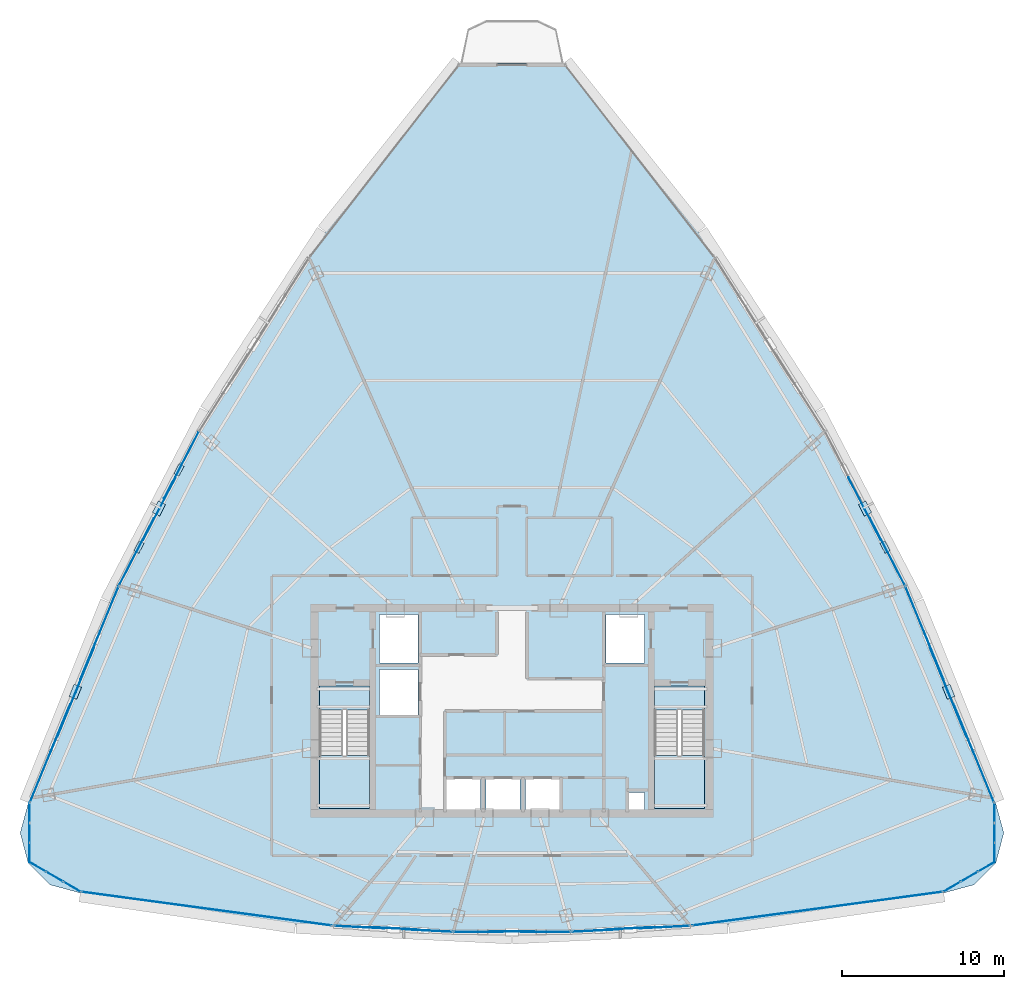
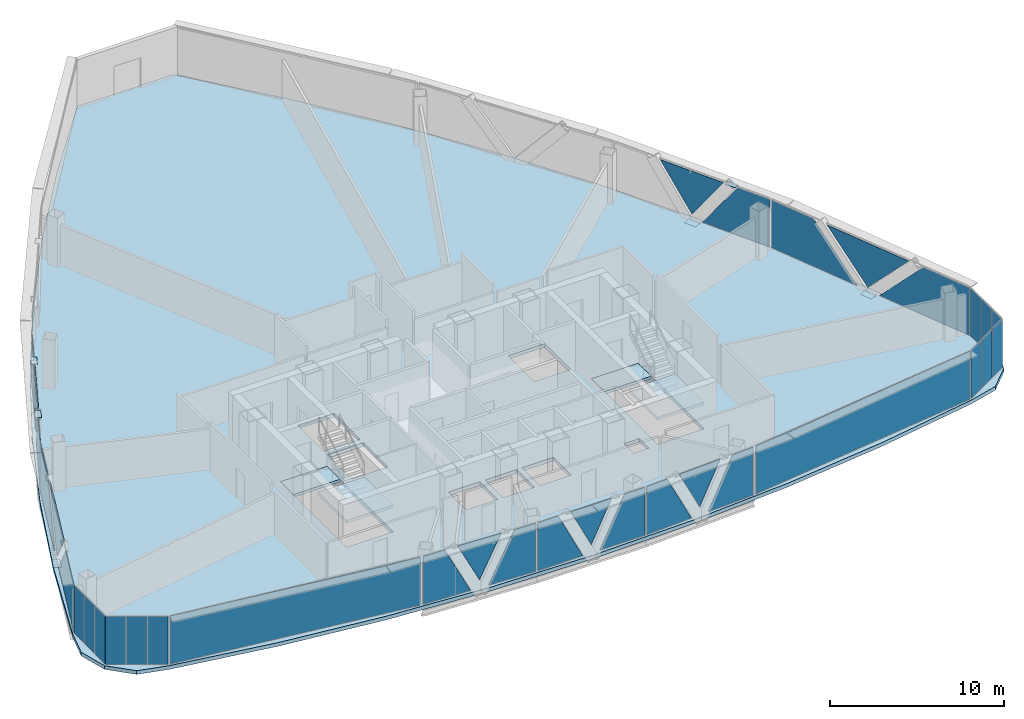
# One storey, part 27 of 33: 41 plates, 5 slabs, 15 elements without a shape of their own.
"""IFC4 building model written with IfcOpenShell, lengths in metres."""

from ifc_helpers import new_model, si_unit, direction, frame, origin, origin_2d, place, context, subcontext, project, spatial, polyline, rectangle, outline, extrude, source, transform, mapped, material, layer, layer_set, type_object, element, aggregate, save


model = new_model("IFC4")

# Units and contexts
model_context = context("Model", 3, precision=1e-05, world=origin(), true_north=direction((0.0, 1.0)))
body_context = subcontext(model_context, "Body", "Model", "MODEL_VIEW")
ifc_project = project(units=[si_unit("LENGTHUNIT", "METRE"), si_unit("AREAUNIT", "SQUARE_METRE"), si_unit("VOLUMEUNIT", "CUBIC_METRE"), si_unit("PLANEANGLEUNIT", "RADIAN"), si_unit("MASSUNIT", "GRAM", prefix="KILO"), si_unit("THERMODYNAMICTEMPERATUREUNIT", "KELVIN"), si_unit("POWERUNIT", "WATT")], contexts=[model_context])

# Site, building, storey
site_placement = place(None, origin())
site = spatial("IfcSite", under=ifc_project, at=site_placement, CompositionType="ELEMENT")
building_placement = place(site_placement, origin())
building = spatial("IfcBuilding", under=site, at=building_placement, Name="Yunzhuo Pagoda Commons", CompositionType="ELEMENT")
storey_placement = place(building_placement, frame((0.0, 0.0, 311.1298828125)))
storey = spatial("IfcBuildingStorey", under=building, at=storey_placement, Name="L78", CompositionType="ELEMENT", Elevation=311.1298828125)

# Curtain wall, plates
ifc_material_1 = material(Name="Anodized aluminium 6063-T6", Category="aluminium")
ifc_layer_1 = layer(ifc_material_1, 0.139892578125)
ifc_layer_set_1 = layer_set([ifc_layer_1], Name="Anodized aluminium 6063-T6")
curtain_wall_type_1 = type_object("IfcCurtainWallType", Name="CW-HI High-Zone Ribbon Curtain Wall", PredefinedType="NOTDEFINED", material=ifc_layer_set_1)
curtain_wall_1_placement = place(storey_placement, origin())
curtain_wall_1 = element("IfcCurtainWall", 1, at=curtain_wall_1_placement, inside=storey, type_object=curtain_wall_type_1, Name="L78 curtain wall CW-L78-F1B2", PredefinedType="NOTDEFINED")
ifc_material_2 = material(Name="Tempered low-e double glazing", Category="glass")
ifc_layer_2 = layer(ifc_material_2, 0.02587890625)
ifc_layer_set_2 = layer_set([ifc_layer_2], Name="Tempered low-e double glazing")
plate_type_1 = type_object("IfcPlateType", Name="CW-HI-P Low-E Double Glazing 26", PredefinedType="CURTAIN_PANEL", material=ifc_layer_set_2)
plate_1_placement = place(storey_placement, frame((38.56396484375, 20.490234375, 1.735107421875), z_axis=(-0.050692256518, -0.998714321079, 0.0), x_axis=(0.998714321079, -0.050692256518, 0.0)))
plate_1 = element("IfcPlate", 2, at=plate_1_placement, type_object=plate_type_1, Name="CW panel 1.1 lite 1", PredefinedType="CURTAIN_PANEL", context=body_context, shape_type="SweptSolid", body=[
    extrude(outline(polyline([(-1.533447265625, -1.679931640625), (1.533447265625, -1.679931640625), (-0.13671875, 1.679931640625), (-1.533447265625, 1.679931640625), (-1.533447265625, -1.679931640625)])), origin(), (0.0, 0.0, 1.0), 0.028076171875),
])
plate_2_placement = place(storey_placement, frame((40.677001953125, 20.4130859375, 2.004638671875), z_axis=(-0.050692256518, -0.998714321079, 0.0), x_axis=(0.998714321079, -0.050692256518, 0.0)))
plate_2 = element("IfcPlate", 3, at=plate_2_placement, type_object=plate_type_1, Name="CW panel 1.1 lite 2", PredefinedType="CURTAIN_PANEL", context=body_context, shape_type="SweptSolid", body=[
    extrude(outline(polyline([(-1.402099609375, 1.41064453125), (0.0, -1.41064453125), (1.402099609375, 1.41064453125), (-1.402099609375, 1.41064453125)])), origin(), (0.0, 0.0, 1.0), 0.028076171875),
])
plate_3_placement = place(storey_placement, frame((42.787109375, 20.276123046875, 1.735107421875), z_axis=(-0.050692256518, -0.998714321079, 0.0), x_axis=(0.998714321079, -0.050692256518, 0.0)))
plate_3 = element("IfcPlate", 4, at=plate_3_placement, type_object=plate_type_1, Name="CW panel 1.1 lite 3", PredefinedType="CURTAIN_PANEL", context=body_context, shape_type="SweptSolid", body=[
    extrude(outline(polyline([(-1.533447265625, -1.679931640625), (1.533447265625, -1.679931640625), (1.533447265625, 1.679931640625), (0.136474609375, 1.679931640625), (-1.533447265625, -1.679931640625)])), origin(), (0.0, 0.0, 1.0), 0.028076171875),
])
aggregate(curtain_wall_1, [plate_1, plate_2, plate_3])

curtain_wall_2_placement = place(storey_placement, origin())
curtain_wall_2 = element("IfcCurtainWall", 5, at=curtain_wall_2_placement, inside=storey, type_object=curtain_wall_type_1, Name="L78 curtain wall CW-L78-F1B3", PredefinedType="NOTDEFINED")
plate_4_placement = place(storey_placement, frame((45.93115234375, 20.1953125, 1.735107421875), z_axis=(0.0, -1.0, 0.0), x_axis=(1.0, 0.0, 0.0)))
plate_4 = element("IfcPlate", 6, at=plate_4_placement, type_object=plate_type_1, Name="CW panel 1.1 lite 1", PredefinedType="CURTAIN_PANEL", context=body_context, shape_type="SweptSolid", body=[
    extrude(outline(polyline([(-1.493408203125, -1.679931640625), (1.493408203125, -1.679931640625), (-0.137939453125, 1.679931640625), (-1.493408203125, 1.679931640625), (-1.493408203125, -1.679931640625)])), origin(), (0.0, 0.0, 1.0), 0.028076171875),
])
plate_5_placement = place(storey_placement, frame((48.0, 20.22509765625, 2.0126953125), z_axis=(0.0, -1.0, 0.0), x_axis=(1.0, 0.0, 0.0)))
plate_5 = element("IfcPlate", 7, at=plate_5_placement, type_object=plate_type_1, Name="CW panel 1.1 lite 2", PredefinedType="CURTAIN_PANEL", context=body_context, shape_type="SweptSolid", body=[
    extrude(outline(polyline([(-1.362060546875, 1.402587890625), (0.0, -1.402587890625), (1.362060546875, 1.402587890625), (-1.362060546875, 1.402587890625)])), origin(), (0.0, 0.0, 1.0), 0.028076171875),
])
plate_6_placement = place(storey_placement, frame((50.06884765625, 20.1953125, 1.735107421875), z_axis=(0.0, -1.0, 0.0), x_axis=(1.0, 0.0, 0.0)))
plate_6 = element("IfcPlate", 8, at=plate_6_placement, type_object=plate_type_1, Name="CW panel 1.1 lite 3", PredefinedType="CURTAIN_PANEL", context=body_context, shape_type="SweptSolid", body=[
    extrude(outline(polyline([(-1.493408203125, -1.679931640625), (1.493408203125, -1.679931640625), (1.493408203125, 1.679931640625), (0.137939453125, 1.679931640625), (-1.493408203125, -1.679931640625)])), origin(), (0.0, 0.0, 1.0), 0.028076171875),
])
aggregate(curtain_wall_2, [plate_4, plate_5, plate_6])

curtain_wall_3_placement = place(storey_placement, origin())
curtain_wall_3 = element("IfcCurtainWall", 9, at=curtain_wall_3_placement, inside=storey, type_object=curtain_wall_type_1, Name="L78 curtain wall CW-L78-F1B4", PredefinedType="NOTDEFINED")
plate_7_placement = place(storey_placement, frame((53.212890625, 20.276123046875, 1.735107421875), z_axis=(0.050692256518, -0.998714321079, 0.0), x_axis=(0.998714321079, 0.050692256518, 0.0)))
plate_7 = element("IfcPlate", 10, at=plate_7_placement, type_object=plate_type_1, Name="CW panel 1.1 lite 1", PredefinedType="CURTAIN_PANEL", context=body_context, shape_type="SweptSolid", body=[
    extrude(outline(polyline([(-1.533447265625, -1.679931640625), (1.533447265625, -1.679931640625), (-0.136474609375, 1.679931640625), (-1.533447265625, 1.679931640625), (-1.533447265625, -1.679931640625)])), origin(), (0.0, 0.0, 1.0), 0.028076171875),
])
plate_8_placement = place(storey_placement, frame((55.322998046875, 20.4130859375, 2.004638671875), z_axis=(0.050692256518, -0.998714321079, 0.0), x_axis=(0.998714321079, 0.050692256518, 0.0)))
plate_8 = element("IfcPlate", 11, at=plate_8_placement, type_object=plate_type_1, Name="CW panel 1.1 lite 2", PredefinedType="CURTAIN_PANEL", context=body_context, shape_type="SweptSolid", body=[
    extrude(outline(polyline([(-1.402099609375, 1.41064453125), (0.0, -1.41064453125), (1.402099609375, 1.41064453125), (-1.402099609375, 1.41064453125)])), origin(), (0.0, 0.0, 1.0), 0.028076171875),
])
plate_9_placement = place(storey_placement, frame((57.43603515625, 20.490234375, 1.735107421875), z_axis=(0.050692256518, -0.998714321079, 0.0), x_axis=(0.998714321079, 0.050692256518, 0.0)))
plate_9 = element("IfcPlate", 12, at=plate_9_placement, type_object=plate_type_1, Name="CW panel 1.1 lite 3", PredefinedType="CURTAIN_PANEL", context=body_context, shape_type="SweptSolid", body=[
    extrude(outline(polyline([(-1.533447265625, -1.679931640625), (1.533447265625, -1.679931640625), (1.533447265625, 1.679931640625), (0.13671875, 1.679931640625), (-1.533447265625, -1.679931640625)])), origin(), (0.0, 0.0, 1.0), 0.028076171875),
])
aggregate(curtain_wall_3, [plate_7, plate_8, plate_9])

curtain_wall_4_placement = place(storey_placement, origin())
curtain_wall_4 = element("IfcCurtainWall", 13, at=curtain_wall_4_placement, inside=storey, type_object=curtain_wall_type_1, Name="L78 curtain wall CW-L78-F2B2", PredefinedType="NOTDEFINED")
plate_10_placement = place(storey_placement, frame((76.543701171875, 31.232421875, 1.735107421875), z_axis=(0.924975207531, 0.380027453552, 0.0), x_axis=(-0.380027453552, 0.924975207531, 0.0)))
plate_10 = element("IfcPlate", 14, at=plate_10_placement, type_object=plate_type_1, Name="CW panel 1.1 lite 1", PredefinedType="CURTAIN_PANEL", context=body_context, shape_type="SweptSolid", body=[
    extrude(outline(polyline([(-3.275390625, -1.679931640625), (3.275390625, -1.679931640625), (0.078125, 1.679931640625), (-3.275390625, 1.679931640625), (-3.275390625, -1.679931640625)])), origin(), (0.0, 0.0, 1.0), 0.028076171875),
])
plate_11_placement = place(storey_placement, frame((74.9580078125, 35.01318359375, 1.853271484375), z_axis=(0.924975207531, 0.380027453552, 0.0), x_axis=(-0.380027453552, 0.924975207531, 0.0)))
plate_11 = element("IfcPlate", 15, at=plate_11_placement, type_object=plate_type_1, Name="CW panel 1.1 lite 2", PredefinedType="CURTAIN_PANEL", context=body_context, shape_type="SweptSolid", body=[
    extrude(outline(polyline([(-2.972412109375, 1.561767578125), (0.0, -1.56201171875), (2.972412109375, 1.561767578125), (-2.972412109375, 1.561767578125)])), origin(), (0.0, 0.0, 1.0), 0.028076171875),
])
plate_12_placement = place(storey_placement, frame((73.49169921875, 38.6611328125, 1.735107421875), z_axis=(0.924975207531, 0.380027453552, 0.0), x_axis=(-0.380027453552, 0.924975207531, 0.0)))
plate_12 = element("IfcPlate", 16, at=plate_12_placement, type_object=plate_type_1, Name="CW panel 1.1 lite 3", PredefinedType="CURTAIN_PANEL", context=body_context, shape_type="SweptSolid", body=[
    extrude(outline(polyline([(-3.107177734375, -1.679931640625), (3.107177734375, -1.679931640625), (3.107177734375, 1.679931640625), (0.090087890625, 1.679931640625), (-3.107177734375, -1.679931640625)])), origin(), (0.0, 0.0, 1.0), 0.028076171875),
])
aggregate(curtain_wall_4, [plate_10, plate_11, plate_12])

curtain_wall_5_placement = place(storey_placement, origin())
curtain_wall_5 = element("IfcCurtainWall", 17, at=curtain_wall_5_placement, inside=storey, type_object=curtain_wall_type_1, Name="L78 curtain wall CW-L78-F2B3", PredefinedType="NOTDEFINED")
plate_13_placement = place(storey_placement, frame((71.197998046875, 43.6904296875, 1.735107421875), z_axis=(0.887531158433, 0.460747699735, 0.0), x_axis=(-0.460747699735, 0.887531158433, 0.0)))
plate_13 = element("IfcPlate", 18, at=plate_13_placement, type_object=plate_type_1, Name="CW panel 1.1 lite 1", PredefinedType="CURTAIN_PANEL", context=body_context, shape_type="SweptSolid", body=[
    extrude(outline(polyline([(-2.30712890625, -1.679931640625), (2.30712890625, -1.679931640625), (-0.111083984375, 1.679931640625), (-2.30712890625, 1.679931640625), (-2.30712890625, -1.679931640625)])), origin(), (0.0, 0.0, 1.0), 0.028076171875),
])
plate_14_placement = place(storey_placement, frame((69.788330078125, 46.3408203125, 1.90283203125), z_axis=(0.887531158433, 0.460747699735, 0.0), x_axis=(-0.460747699735, 0.887531158433, 0.0)))
plate_14 = element("IfcPlate", 19, at=plate_14_placement, type_object=plate_type_1, Name="CW panel 1.1 lite 2", PredefinedType="CURTAIN_PANEL", context=body_context, shape_type="SweptSolid", body=[
    extrude(outline(polyline([(-2.1767578125, 1.51220703125), (0.0, -1.51220703125), (2.1767578125, 1.51220703125), (-2.1767578125, 1.51220703125)])), origin(), (0.0, 0.0, 1.0), 0.028076171875),
])
aggregate(curtain_wall_5, [plate_13, plate_14])

curtain_wall_6_placement = place(storey_placement, origin())
curtain_wall_6 = element("IfcCurtainWall", 20, at=curtain_wall_6_placement, inside=storey, type_object=curtain_wall_type_1, Name="L78 curtain wall CW-L78-F3B3", PredefinedType="NOTDEFINED")
plate_15_placement = place(storey_placement, frame((27.568359375, 49.018798828125, 1.735107421875), z_axis=(-0.887531158433, 0.460747699735, 0.0), x_axis=(-0.460747699735, -0.887531158433, 0.0)))
plate_15 = element("IfcPlate", 21, at=plate_15_placement, type_object=plate_type_1, Name="CW panel 1.1 lite 1", PredefinedType="CURTAIN_PANEL", context=body_context, shape_type="SweptSolid", body=[
    extrude(outline(polyline([(-2.306884765625, -1.679931640625), (2.306884765625, -1.679931640625), (-0.111083984375, 1.679931640625), (-2.306884765625, 1.679931640625), (-2.306884765625, -1.679931640625)])), origin(), (0.0, 0.0, 1.0), 0.028076171875),
])
plate_16_placement = place(storey_placement, frame((26.211669921875, 46.3408203125, 1.90283203125), z_axis=(-0.887531158433, 0.460747699735, 0.0), x_axis=(-0.460747699735, -0.887531158433, 0.0)))
plate_16 = element("IfcPlate", 22, at=plate_16_placement, type_object=plate_type_1, Name="CW panel 1.1 lite 2", PredefinedType="CURTAIN_PANEL", context=body_context, shape_type="SweptSolid", body=[
    extrude(outline(polyline([(-2.1767578125, 1.51220703125), (0.0, -1.51220703125), (2.1767578125, 1.51220703125), (-2.1767578125, 1.51220703125)])), origin(), (0.0, 0.0, 1.0), 0.028076171875),
])
plate_17_placement = place(storey_placement, frame((24.802001953125, 43.6904296875, 1.735107421875), z_axis=(-0.887531158433, 0.460747699735, 0.0), x_axis=(-0.460747699735, -0.887531158433, 0.0)))
plate_17 = element("IfcPlate", 23, at=plate_17_placement, type_object=plate_type_1, Name="CW panel 1.1 lite 3", PredefinedType="CURTAIN_PANEL", context=body_context, shape_type="SweptSolid", body=[
    extrude(outline(polyline([(-2.30712890625, -1.679931640625), (2.30712890625, -1.679931640625), (2.30712890625, 1.679931640625), (0.111083984375, 1.679931640625), (-2.30712890625, -1.679931640625)])), origin(), (0.0, 0.0, 1.0), 0.028076171875),
])
aggregate(curtain_wall_6, [plate_15, plate_16, plate_17])

curtain_wall_7_placement = place(storey_placement, origin())
curtain_wall_7 = element("IfcCurtainWall", 24, at=curtain_wall_7_placement, inside=storey, type_object=curtain_wall_type_1, Name="L78 curtain wall CW-L78-F3B4", PredefinedType="NOTDEFINED")
plate_18_placement = place(storey_placement, frame((22.50830078125, 38.6611328125, 1.735107421875), z_axis=(-0.924975207531, 0.380027453552, 0.0), x_axis=(-0.380027453552, -0.924975207531, 0.0)))
plate_18 = element("IfcPlate", 25, at=plate_18_placement, type_object=plate_type_1, Name="CW panel 1.1 lite 1", PredefinedType="CURTAIN_PANEL", context=body_context, shape_type="SweptSolid", body=[
    extrude(outline(polyline([(-3.107177734375, -1.679931640625), (3.107177734375, -1.679931640625), (-0.090087890625, 1.679931640625), (-3.107177734375, 1.679931640625), (-3.107177734375, -1.679931640625)])), origin(), (0.0, 0.0, 1.0), 0.028076171875),
])
plate_19_placement = place(storey_placement, frame((21.0419921875, 35.01318359375, 1.853271484375), z_axis=(-0.924975207531, 0.380027453552, 0.0), x_axis=(-0.380027453552, -0.924975207531, 0.0)))
plate_19 = element("IfcPlate", 26, at=plate_19_placement, type_object=plate_type_1, Name="CW panel 1.1 lite 2", PredefinedType="CURTAIN_PANEL", context=body_context, shape_type="SweptSolid", body=[
    extrude(outline(polyline([(-2.972412109375, 1.561767578125), (0.0, -1.56201171875), (2.972412109375, 1.561767578125), (-2.972412109375, 1.561767578125)])), origin(), (0.0, 0.0, 1.0), 0.028076171875),
])
plate_20_placement = place(storey_placement, frame((19.456298828125, 31.232421875, 1.735107421875), z_axis=(-0.924975207531, 0.380027453552, 0.0), x_axis=(-0.380027453552, -0.924975207531, 0.0)))
plate_20 = element("IfcPlate", 27, at=plate_20_placement, type_object=plate_type_1, Name="CW panel 1.1 lite 3", PredefinedType="CURTAIN_PANEL", context=body_context, shape_type="SweptSolid", body=[
    extrude(outline(polyline([(-3.275390625, -1.679931640625), (3.275390625, -1.679931640625), (3.275390625, 1.679931640625), (-0.078125, 1.679931640625), (-3.275390625, -1.679931640625)])), origin(), (0.0, 0.0, 1.0), 0.028076171875),
])
aggregate(curtain_wall_7, [plate_18, plate_19, plate_20])

# Stair, slabs
ifc_material_3 = material(Name="Concrete C40", Category="concrete")
stair_type_1 = type_object("IfcStairType", Name="ST-C1 Core Smokeproof Stair ST1", PredefinedType="HALF_TURN_STAIR", material=ifc_material_3)
stair_1_placement = place(storey_placement, origin())
stair_1 = element("IfcStair", 28, at=stair_1_placement, inside=storey, type_object=stair_type_1, Name="L78 Core smokeproof stair ST1", PredefinedType="HALF_TURN_STAIR")
ifc_layer_3 = layer(ifc_material_3, 0.199951171875)
ifc_layer_set_3 = layer_set([ifc_layer_3], Name="Concrete C40")
slab_type_1 = type_object("IfcSlabType", Name="SL-LND1 Stair Landing Slab 200", PredefinedType="LANDING", material=ifc_layer_set_3)
slab_1_placement = place(storey_placement, frame((0.0, 0.0, 1.6650390625)))
slab_1 = element("IfcSlab", 29, at=slab_1_placement, type_object=slab_type_1, Name="ST1 landing 1", PredefinedType="LANDING", context=body_context, shape_type="SweptSolid", body=[
    extrude(outline(polyline([(36.10009765625, 31.10009765625), (36.10009765625, 27.800048828125), (39.199951171875, 27.800048828125), (39.199951171875, 31.10009765625), (36.10009765625, 31.10009765625)])), origin(), (0.0, 0.0, 1.0), 0.2001953125),
])
slab_2_placement = place(storey_placement, frame((0.0, 0.0, -0.199951171875)))
slab_2 = element("IfcSlab", 30, at=slab_2_placement, type_object=slab_type_1, Name="ST1 floor landing L78", PredefinedType="LANDING", context=body_context, shape_type="SweptSolid", body=[
    extrude(outline(polyline([(36.10009765625, 35.39990234375), (36.10009765625, 33.89990234375), (39.199951171875, 33.89990234375), (39.199951171875, 35.39990234375), (36.10009765625, 35.39990234375)])), origin(), (0.0, 0.0, 1.0), 0.199951171875),
])
aggregate(stair_1, [slab_1, slab_2])

stair_type_2 = type_object("IfcStairType", Name="ST-C2 Core Smokeproof Stair ST2", PredefinedType="HALF_TURN_STAIR", material=ifc_material_3)
stair_2_placement = place(storey_placement, origin())
stair_2 = element("IfcStair", 31, at=stair_2_placement, inside=storey, type_object=stair_type_2, Name="L78 Core smokeproof stair ST2", PredefinedType="HALF_TURN_STAIR")
ifc_layer_4 = layer(ifc_material_3, 0.201904296875)
ifc_layer_set_4 = layer_set([ifc_layer_4], Name="Concrete C40")
slab_type_2 = type_object("IfcSlabType", Name="SL-LND2 Stair Landing Slab 202", PredefinedType="LANDING", material=ifc_layer_set_4)
slab_3_placement = place(storey_placement, frame((0.0, 0.0, 1.6650390625)))
slab_3 = element("IfcSlab", 32, at=slab_3_placement, type_object=slab_type_2, Name="ST2 landing 1", PredefinedType="LANDING", context=body_context, shape_type="SweptSolid", body=[
    extrude(outline(polyline([(56.800048828125, 31.10009765625), (56.800048828125, 27.800048828125), (59.89990234375, 27.800048828125), (59.89990234375, 31.10009765625), (56.800048828125, 31.10009765625)])), origin(), (0.0, 0.0, 1.0), 0.2001953125),
])
slab_4_placement = place(storey_placement, frame((0.0, 0.0, -0.199951171875)))
slab_4 = element("IfcSlab", 33, at=slab_4_placement, type_object=slab_type_2, Name="ST2 floor landing L78", PredefinedType="LANDING", context=body_context, shape_type="SweptSolid", body=[
    extrude(outline(polyline([(56.800048828125, 35.39990234375), (56.800048828125, 33.89990234375), (59.89990234375, 33.89990234375), (59.89990234375, 35.39990234375), (56.800048828125, 35.39990234375)])), origin(), (0.0, 0.0, 1.0), 0.199951171875),
])
aggregate(stair_2, [slab_3, slab_4])

# Slab
ifc_layer_5 = layer(ifc_material_3, 0.260009765625)
ifc_layer_set_5 = layer_set([ifc_layer_5], Name="Concrete C40")
slab_type_3 = type_object("IfcSlabType", Name="SL-TWR Typical Tower Floor Slab 260", PredefinedType="FLOOR", material=ifc_layer_set_5)
slab_5_placement = place(storey_placement, frame((0.0, 0.0, -0.259765625)))
element("IfcSlab", 34, at=slab_5_placement, inside=storey, type_object=slab_type_3, Name="L78 structural floor slab", PredefinedType="FLOOR", context=body_context, shape_type="SweptSolid", body=[
    extrude(outline(polyline([(20.45263671875, 34.44677734375), (23.090087890625, 40.57666015625), (26.00830078125, 46.542724609375), (29.207275390625, 52.34521484375), (32.686767578125, 57.9833984375), (36.447021484375, 63.4580078125), (40.48779296875, 68.768798828125), (44.809326171875, 73.916015625), (51.190673828125, 73.916015625), (55.51220703125, 68.768798828125), (59.552978515625, 63.4580078125), (63.313232421875, 57.9833984375), (66.792724609375, 52.34521484375), (69.99169921875, 46.542724609375), (72.909912109375, 40.57666015625), (75.54736328125, 34.44677734375), (77.904296875, 28.15283203125), (78.407958984375, 26.3037109375), (77.91748046875, 24.45068359375), (76.564697265625, 23.093017578125), (74.71337890625, 22.595703125), (68.03515625, 21.45849609375), (61.356689453125, 20.64599609375), (54.678466796875, 20.158447265625), (48.0, 19.99609375), (41.321533203125, 20.158447265625), (34.643310546875, 20.64599609375), (27.96484375, 21.45849609375), (21.28662109375, 22.595703125), (19.435302734375, 23.093017578125), (18.08251953125, 24.45068359375), (17.592041015625, 26.3037109375), (18.095703125, 28.15283203125), (20.45263671875, 34.44677734375)]), holes=[polyline([(56.179931640625, 28.800048828125), (55.179931640625, 28.800048828125), (55.179931640625, 27.699951171875), (56.179931640625, 27.699951171875), (56.179931640625, 28.800048828125)]), polyline([(46.050048828125, 29.64990234375), (43.949951171875, 29.64990234375), (43.949951171875, 27.60009765625), (46.050048828125, 27.60009765625), (46.050048828125, 29.64990234375)]), polyline([(48.5, 29.64990234375), (46.39990234375, 29.64990234375), (46.39990234375, 27.60009765625), (48.5, 27.60009765625), (48.5, 29.64990234375)]), polyline([(50.949951171875, 29.64990234375), (48.85009765625, 29.64990234375), (48.85009765625, 27.60009765625), (50.949951171875, 27.60009765625), (50.949951171875, 29.64990234375)]), polyline([(39.199951171875, 27.800048828125), (39.199951171875, 35.39990234375), (36.10009765625, 35.39990234375), (36.10009765625, 27.800048828125), (39.199951171875, 27.800048828125)]), polyline([(59.89990234375, 27.800048828125), (59.89990234375, 35.39990234375), (56.800048828125, 35.39990234375), (56.800048828125, 27.800048828125), (59.89990234375, 27.800048828125)]), polyline([(42.199951171875, 36.39990234375), (39.800048828125, 36.39990234375), (39.800048828125, 33.60009765625), (42.199951171875, 33.60009765625), (42.199951171875, 36.39990234375)]), polyline([(42.199951171875, 36.800048828125), (42.199951171875, 39.800048828125), (39.800048828125, 39.800048828125), (39.800048828125, 36.800048828125), (42.199951171875, 36.800048828125)]), polyline([(56.199951171875, 36.800048828125), (56.199951171875, 39.800048828125), (53.800048828125, 39.800048828125), (53.800048828125, 36.800048828125), (56.199951171875, 36.800048828125)])]), origin(), (0.0, 0.0, 1.0), 0.259765625),
])

# Plates
ifc_material_4 = material(Name="Structural steel Q355B", Category="steel")
ifc_layer_6 = layer(ifc_material_4, 0.028076171875)
ifc_layer_set_6 = layer_set([ifc_layer_6], Name="Structural steel Q355B")
plate_type_2 = type_object("IfcPlateType", Name="SP-ND1 Lattice Node Cap Plate 800x500x28", PredefinedType="USERDEFINED", material=ifc_layer_set_6)
shared_shape_1 = source(origin(), body_context, "Body", "SweptSolid", [
    extrude(rectangle(XDim=0.800048828125, YDim=0.5, at=origin_2d()), origin(), (0.0, 0.0, 1.0), 0.028076171875),
])
for number, where, z_axis, x_axis, name in (
    (35, (74.998291015625, 35.02978515625, -0.27392578125), (0.0, 0.0, 1.0), (-0.379988979105, 0.92499101388, 0.0), "L78 diamond node plate F2.1A"),
    (36, (69.827392578125, 46.361083984375, -0.27392578125), (0.0, 0.0, 1.0), (-0.460742034444, 0.887534099456, 0.0), "L78 diamond node plate F2.2A"),
    (37, (26.172607421875, 46.361083984375, -0.27392578125), (0.0, 0.0, 1.0), (-0.460742034444, -0.887534099456, 0.0), "L78 diamond node plate F3.2A"),
    (38, (21.001708984375, 35.02978515625, -0.27392578125), (0.0, 0.0, 1.0), (-0.379988979105, -0.92499101388, 0.0), "L78 diamond node plate F3.3A"),
):
    element("IfcPlate", number, at=place(storey_placement, frame(where, z_axis=z_axis, x_axis=x_axis)), inside=storey, type_object=plate_type_2, Name=name, ObjectType="STIFFENER_PLATE", PredefinedType="USERDEFINED", context=body_context, shape_type="MappedRepresentation", body=[
        mapped(shared_shape_1, transform((0.0, 0.0, 0.0), scale=1.0)),
    ])
shared_shape_2 = source(origin(), body_context, "Body", "SweptSolid", [
    extrude(rectangle(XDim=0.699951171875, YDim=0.35009765625, at=origin_2d()), origin(), (0.0, 0.0, 1.0), 0.035888671875),
])
for number, where, z_axis, x_axis, name in (
    (39, (71.064208984375, 43.978515625, 3.43212890625), (0.0, 0.0, 1.0), (-0.460742034444, 0.887534099456, 0.0), "L78 setback lattice tie plate F2.2L"),
    (40, (27.409423828125, 48.743408203125, 3.43212890625), (0.0, 0.0, 1.0), (-0.460742034444, -0.887534099456, 0.0), "L78 setback lattice tie plate F3.2L"),
    (41, (24.935791015625, 43.978515625, 3.43212890625), (0.0, 0.0, 1.0), (-0.460742034444, -0.887534099456, 0.0), "L78 setback lattice tie plate F3.2R"),
):
    element("IfcPlate", number, at=place(storey_placement, frame(where, z_axis=z_axis, x_axis=x_axis)), inside=storey, type_object=plate_type_2, Name=name, ObjectType="STIFFENER_PLATE", PredefinedType="USERDEFINED", context=body_context, shape_type="MappedRepresentation", body=[
        mapped(shared_shape_2, transform((0.0, 0.0, 0.0), scale=1.0)),
    ])

# Curtain wall, plate
curtain_wall_8_placement = place(storey_placement, origin())
curtain_wall_8 = element("IfcCurtainWall", 42, at=curtain_wall_8_placement, inside=storey, type_object=curtain_wall_type_1, Name="L78 curtain wall CW-L78-F1B1", PredefinedType="NOTDEFINED")
shared_shape_3 = source(origin(), body_context, "Body", "SweptSolid", [
    extrude(rectangle(XDim=15.591796875, YDim=0.028076171875, at=origin_2d()), origin(), (0.0, 0.0, 1.0), 3.360107421875),
])
plate_21_placement = place(storey_placement, frame((29.112060546875, 21.6162109375, 0.05517578125), z_axis=(0.0, 0.0, 1.0), x_axis=(0.991046317424, -0.133518525759, 0.0)))
plate_21 = element("IfcPlate", 43, at=plate_21_placement, type_object=plate_type_1, Name="CW panel 1.1", PredefinedType="CURTAIN_PANEL", context=body_context, shape_type="MappedRepresentation", body=[
    mapped(shared_shape_3, transform((0.0, 0.0, 0.0), scale=1.0)),
])
aggregate(curtain_wall_8, [plate_21])

curtain_wall_9_placement = place(storey_placement, origin())
curtain_wall_9 = element("IfcCurtainWall", 44, at=curtain_wall_9_placement, inside=storey, type_object=curtain_wall_type_1, Name="L78 curtain wall CW-L78-F1B5", PredefinedType="NOTDEFINED")
plate_22_placement = place(storey_placement, frame((66.887939453125, 21.6162109375, 0.05517578125), z_axis=(0.0, 0.0, 1.0), x_axis=(0.991046317424, 0.133518525759, 0.0)))
plate_22 = element("IfcPlate", 45, at=plate_22_placement, type_object=plate_type_1, Name="CW panel 1.1", PredefinedType="CURTAIN_PANEL", context=body_context, shape_type="MappedRepresentation", body=[
    mapped(shared_shape_3, transform((0.0, 0.0, 0.0), scale=1.0)),
])
aggregate(curtain_wall_9, [plate_22])

# Curtain wall, plates
ifc_layer_7 = layer(ifc_material_1, 0.1298828125)
ifc_layer_set_7 = layer_set([ifc_layer_7], Name="Anodized aluminium 6063-T6")
curtain_wall_type_2 = type_object("IfcCurtainWallType", Name="CW-VTX Rounded Corner Curtain Wall", PredefinedType="NOTDEFINED", material=ifc_layer_set_7)
curtain_wall_10_placement = place(storey_placement, origin())
curtain_wall_10 = element("IfcCurtainWall", 46, at=curtain_wall_10_placement, inside=storey, type_object=curtain_wall_type_2, Name="L78 curtain wall CW-L78-VTX1S1", PredefinedType="NOTDEFINED")
ifc_layer_8 = layer(ifc_material_2, 0.02587890625)
ifc_layer_set_8 = layer_set([ifc_layer_8], Name="Tempered low-e double glazing")
plate_type_3 = type_object("IfcPlateType", Name="CW-VTX-P Low-E Double Glazing 26", PredefinedType="CURTAIN_PANEL", material=ifc_layer_set_8)
shared_shape_4 = source(origin(), body_context, "Body", "SweptSolid", [
    extrude(rectangle(XDim=1.151611328125, YDim=0.028076171875, at=origin_2d()), origin(), (0.0, 0.0, 1.0), 3.360107421875),
])
plate_23_placement = place(storey_placement, frame((18.173583984375, 27.521728515625, 0.05517578125), z_axis=(0.0, 0.0, 1.0), x_axis=(-0.003592435359, -0.999993547183, 0.0)))
plate_23 = element("IfcPlate", 47, at=plate_23_placement, type_object=plate_type_3, Name="CW panel 1.1", PredefinedType="CURTAIN_PANEL", context=body_context, shape_type="MappedRepresentation", body=[
    mapped(shared_shape_4, transform((0.0, 0.0, 0.0), scale=1.0)),
])
plate_24_placement = place(storey_placement, frame((18.164794921875, 25.081298828125, 0.05517578125), z_axis=(0.0, 0.0, 1.0), x_axis=(-0.003592435359, -0.999993547183, 0.0)))
plate_24 = element("IfcPlate", 48, at=plate_24_placement, type_object=plate_type_3, Name="CW panel 3.1", PredefinedType="CURTAIN_PANEL", context=body_context, shape_type="MappedRepresentation", body=[
    mapped(shared_shape_4, transform((0.0, 0.0, 0.0), scale=1.0)),
])

curtain_wall_11_placement = place(storey_placement, origin())
curtain_wall_11 = element("IfcCurtainWall", 49, at=curtain_wall_11_placement, inside=storey, type_object=curtain_wall_type_2, Name="L78 curtain wall CW-L78-VTX1S2", PredefinedType="NOTDEFINED")
plate_25_placement = place(storey_placement, frame((18.66845703125, 24.203857421875, 0.05517578125), z_axis=(0.0, 0.0, 1.0), x_axis=(0.86543183333, -0.501026687771, 0.0)))
plate_25 = element("IfcPlate", 50, at=plate_25_placement, type_object=plate_type_3, Name="CW panel 1.1", PredefinedType="CURTAIN_PANEL", context=body_context, shape_type="MappedRepresentation", body=[
    mapped(shared_shape_4, transform((0.0, 0.0, 0.0), scale=1.0)),
])
plate_26_placement = place(storey_placement, frame((20.78076171875, 22.98095703125, 0.05517578125), z_axis=(0.0, 0.0, 1.0), x_axis=(0.86543183333, -0.501026687771, 0.0)))
plate_26 = element("IfcPlate", 51, at=plate_26_placement, type_object=plate_type_3, Name="CW panel 3.1", PredefinedType="CURTAIN_PANEL", context=body_context, shape_type="MappedRepresentation", body=[
    mapped(shared_shape_4, transform((0.0, 0.0, 0.0), scale=1.0)),
])

curtain_wall_12_placement = place(storey_placement, origin())
curtain_wall_12 = element("IfcCurtainWall", 52, at=curtain_wall_12_placement, inside=storey, type_object=curtain_wall_type_2, Name="L78 curtain wall CW-L78-VTX2S1", PredefinedType="NOTDEFINED")
plate_27_placement = place(storey_placement, frame((75.21923828125, 22.98095703125, 0.05517578125), z_axis=(0.0, 0.0, 1.0), x_axis=(0.86543183333, 0.501026687771, 0.0)))
plate_27 = element("IfcPlate", 53, at=plate_27_placement, type_object=plate_type_3, Name="CW panel 1.1", PredefinedType="CURTAIN_PANEL", context=body_context, shape_type="MappedRepresentation", body=[
    mapped(shared_shape_4, transform((0.0, 0.0, 0.0), scale=1.0)),
])
plate_28_placement = place(storey_placement, frame((77.33154296875, 24.203857421875, 0.05517578125), z_axis=(0.0, 0.0, 1.0), x_axis=(0.86543183333, 0.501026687771, 0.0)))
plate_28 = element("IfcPlate", 54, at=plate_28_placement, type_object=plate_type_3, Name="CW panel 3.1", PredefinedType="CURTAIN_PANEL", context=body_context, shape_type="MappedRepresentation", body=[
    mapped(shared_shape_4, transform((0.0, 0.0, 0.0), scale=1.0)),
])

curtain_wall_13_placement = place(storey_placement, origin())
curtain_wall_13 = element("IfcCurtainWall", 55, at=curtain_wall_13_placement, inside=storey, type_object=curtain_wall_type_2, Name="L78 curtain wall CW-L78-VTX2S2", PredefinedType="NOTDEFINED")
plate_29_placement = place(storey_placement, frame((77.835205078125, 25.081298828125, 0.05517578125), z_axis=(0.0, 0.0, 1.0), x_axis=(-0.003592435359, 0.999993547183, 0.0)))
plate_29 = element("IfcPlate", 56, at=plate_29_placement, type_object=plate_type_3, Name="CW panel 1.1", PredefinedType="CURTAIN_PANEL", context=body_context, shape_type="MappedRepresentation", body=[
    mapped(shared_shape_4, transform((0.0, 0.0, 0.0), scale=1.0)),
])
plate_30_placement = place(storey_placement, frame((77.826416015625, 27.521728515625, 0.05517578125), z_axis=(0.0, 0.0, 1.0), x_axis=(-0.003592435359, 0.999993547183, 0.0)))
plate_30 = element("IfcPlate", 57, at=plate_30_placement, type_object=plate_type_3, Name="CW panel 3.1", PredefinedType="CURTAIN_PANEL", context=body_context, shape_type="MappedRepresentation", body=[
    mapped(shared_shape_4, transform((0.0, 0.0, 0.0), scale=1.0)),
])

# Plate
shared_shape_5 = source(origin(), body_context, "Body", "SweptSolid", [
    extrude(rectangle(XDim=1.178955078125, YDim=0.028076171875, at=origin_2d()), origin(), (0.0, 0.0, 1.0), 3.360107421875),
])
plate_31_placement = place(storey_placement, frame((18.169189453125, 26.301513671875, 0.05517578125), z_axis=(0.0, 0.0, 1.0), x_axis=(-0.003592435359, -0.999993547183, 0.0)))
plate_31 = element("IfcPlate", 58, at=plate_31_placement, type_object=plate_type_3, Name="CW panel 2.1", PredefinedType="CURTAIN_PANEL", context=body_context, shape_type="MappedRepresentation", body=[
    mapped(shared_shape_5, transform((0.0, 0.0, 0.0), scale=1.0)),
])

aggregate(curtain_wall_10, [plate_23, plate_31, plate_24])

plate_32_placement = place(storey_placement, frame((19.724609375, 23.592529296875, 0.05517578125), z_axis=(0.0, 0.0, 1.0), x_axis=(0.86543183333, -0.501026687771, 0.0)))
plate_32 = element("IfcPlate", 59, at=plate_32_placement, type_object=plate_type_3, Name="CW panel 2.1", PredefinedType="CURTAIN_PANEL", context=body_context, shape_type="MappedRepresentation", body=[
    mapped(shared_shape_5, transform((0.0, 0.0, 0.0), scale=1.0)),
])

aggregate(curtain_wall_11, [plate_25, plate_32, plate_26])

plate_33_placement = place(storey_placement, frame((76.275390625, 23.592529296875, 0.05517578125), z_axis=(0.0, 0.0, 1.0), x_axis=(0.86543183333, 0.501026687771, 0.0)))
plate_33 = element("IfcPlate", 60, at=plate_33_placement, type_object=plate_type_3, Name="CW panel 2.1", PredefinedType="CURTAIN_PANEL", context=body_context, shape_type="MappedRepresentation", body=[
    mapped(shared_shape_5, transform((0.0, 0.0, 0.0), scale=1.0)),
])

aggregate(curtain_wall_12, [plate_27, plate_33, plate_28])

plate_34_placement = place(storey_placement, frame((77.830810546875, 26.301513671875, 0.05517578125), z_axis=(0.0, 0.0, 1.0), x_axis=(-0.003592435359, 0.999993547183, 0.0)))
plate_34 = element("IfcPlate", 61, at=plate_34_placement, type_object=plate_type_3, Name="CW panel 2.1", PredefinedType="CURTAIN_PANEL", context=body_context, shape_type="MappedRepresentation", body=[
    mapped(shared_shape_5, transform((0.0, 0.0, 0.0), scale=1.0)),
])

aggregate(curtain_wall_13, [plate_29, plate_34, plate_30])

save(model, "model.ifc")
